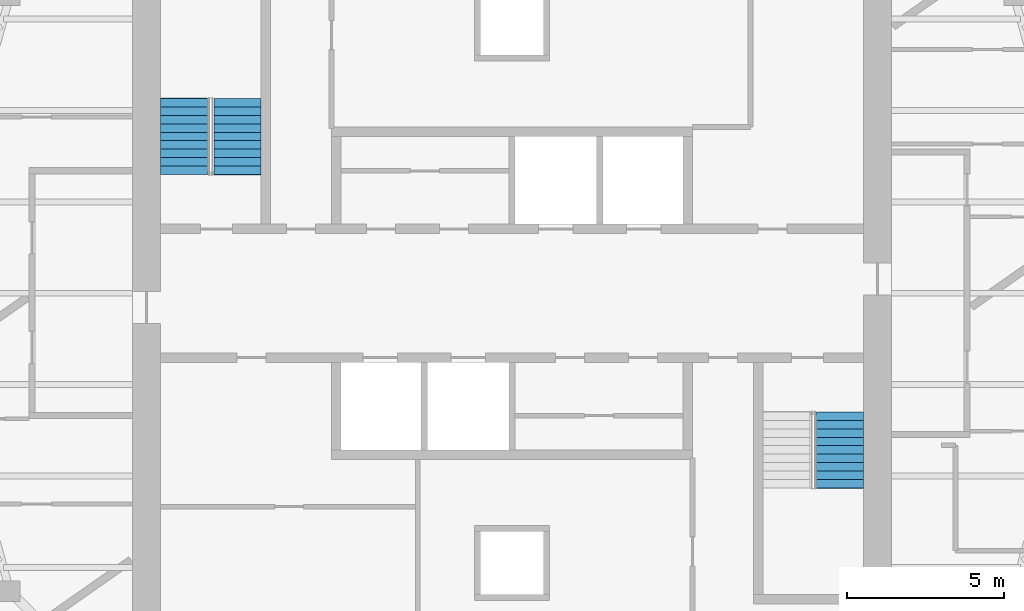
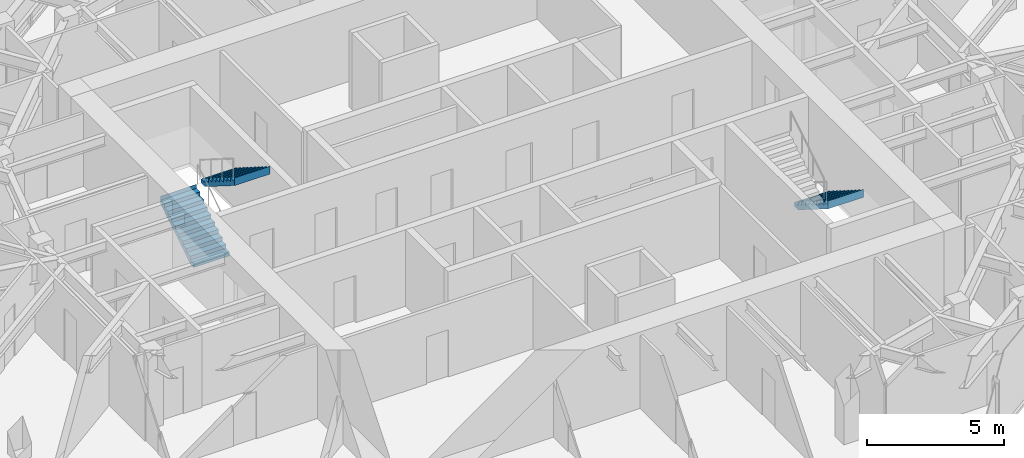
# One storey, part 12 of 13: 3 stair flights, 2 elements without a shape of their own.
"""IFC4 building model written with IfcOpenShell, lengths in metres."""

import ifcopenshell
import ifcopenshell.guid

model = None  # the IFC model being written
_history = None  # IfcOwnerHistory: only IFC2X3 demands one
_inside = {}  # id of a spatial element -> (the spatial element, [elements in it])
_under = {}  # id of a project, library or spatial element -> (it, [spatial elements below it])
_declared = {}  # id of a project -> (the project, [libraries it declares])
_typed = {}  # id of a type object -> (the type object, [elements of that type])
_made_of = {}  # id of a material, layer set ... -> (it, [elements and type objects made of it])


def new_model(schema):
    """Start an empty IFC model of exactly this schema.

    Asked for "IFC4X3", IfcOpenShell would pick the latest addendum, in which some entities
    have other attributes; the version numbers below select the first issue.
    IFC2X3 requires an IfcOwnerHistory on every rooted entity: one is made here for all.
    """
    global model, _history
    if schema == "IFC4X3":
        model = ifcopenshell.file(schema_version=(4, 3, 0, 0))
    else:
        model = ifcopenshell.file(schema=schema)
    _inside.clear()
    _under.clear()
    _declared.clear()
    _typed.clear()
    _made_of.clear()
    _history = None
    if model.schema == "IFC2X3":
        org = make("IfcOrganization", Name="unknown")
        user = make(
            "IfcPersonAndOrganization",
            ThePerson=make("IfcPerson", FamilyName="unknown"),
            TheOrganization=org,
        )
        app = make(
            "IfcApplication",
            ApplicationDeveloper=org,
            Version="unknown",
            ApplicationFullName="unknown",
            ApplicationIdentifier="unknown",
        )
        _history = make(
            "IfcOwnerHistory",
            OwningUser=user,
            OwningApplication=app,
            ChangeAction="ADDED",
            CreationDate=0,
        )
    return model


def make(cls, **values):
    """One entity of the class cls with the attributes given. An attribute that is None is left unset."""
    return model.create_entity(
        cls, **{name: value for name, value in values.items() if value is not None}
    )


def rooted(cls, **values):
    """An entity with a GlobalId (a new one), such as an element, a storey or a relation."""
    return make(cls, GlobalId=ifcopenshell.guid.new(), OwnerHistory=_history, **values)


def si_unit(unit_type, name, prefix=None):
    """IfcSIUnit, for example si_unit("LENGTHUNIT", "METRE", prefix="MILLI")."""
    return make("IfcSIUnit", UnitType=unit_type, Prefix=prefix, Name=name)


def assignment(units):
    """IfcUnitAssignment: the units of a project."""
    return None if units is None else make("IfcUnitAssignment", Units=units)


def point(xyz):
    """IfcCartesianPoint."""
    return None if xyz is None else make("IfcCartesianPoint", Coordinates=xyz)


def direction(xyz):
    """IfcDirection."""
    return None if xyz is None else make("IfcDirection", DirectionRatios=xyz)


def frame(location, z_axis=None, x_axis=None):
    """IfcAxis2Placement3D, a coordinate frame: its origin and axes. An axis left out is left unset."""
    return make(
        "IfcAxis2Placement3D",
        Location=point(location),
        Axis=direction(z_axis),
        RefDirection=direction(x_axis),
    )


def origin():
    """The frame at (0, 0, 0) with its axes left unset."""
    return frame((0.0, 0.0, 0.0))


def place(relative_to, where):
    """IfcLocalPlacement: puts the frame where relative to a parent placement (None: the world)."""
    return make(
        "IfcLocalPlacement", PlacementRelTo=relative_to, RelativePlacement=where
    )


def context(
    kind, dimensions, precision=None, world=None, true_north=None, identifier=None
):
    """IfcGeometricRepresentationContext, for example the 3D "Model" context."""
    return make(
        "IfcGeometricRepresentationContext",
        ContextIdentifier=identifier,
        ContextType=kind,
        CoordinateSpaceDimension=dimensions,
        Precision=precision,
        WorldCoordinateSystem=world,
        TrueNorth=true_north,
    )


def subcontext(parent, identifier, kind, view, scale=None):
    """IfcGeometricRepresentationSubContext, for example "Body" below "Model"."""
    return make(
        "IfcGeometricRepresentationSubContext",
        ContextIdentifier=identifier,
        ContextType=kind,
        ParentContext=parent,
        TargetScale=scale,
        TargetView=view,
    )


def project(units=None, contexts=None):
    """IfcProject with its units and contexts."""
    return rooted(
        "IfcProject",
        Name="project",
        RepresentationContexts=contexts,
        UnitsInContext=assignment(units),
    )


def spatial(cls, under=None, at=None, **own):
    """A site, building, storey or space (cls), placed at a placement, below another one or the project."""
    s = rooted(cls, ObjectPlacement=at, **own)
    if under is not None:
        _under.setdefault(under.id(), (under, []))[1].append(s)
    return s


def polyline(points):
    """IfcPolyline through the points."""
    return make("IfcPolyline", Points=[point(p) for p in points])


def outline(outer, holes=None, kind="AREA"):
    """IfcArbitraryClosedProfileDef: a profile drawn as a closed curve; with holes, ...WithVoids."""
    if holes is None:
        return make("IfcArbitraryClosedProfileDef", ProfileType=kind, OuterCurve=outer)
    return make(
        "IfcArbitraryProfileDefWithVoids",
        ProfileType=kind,
        OuterCurve=outer,
        InnerCurves=holes,
    )


def extrude(swept, where, along, depth):
    """IfcExtrudedAreaSolid: the profile swept, set in the frame where, extruded along a direction by depth."""
    return make(
        "IfcExtrudedAreaSolid",
        SweptArea=swept,
        Position=where,
        ExtrudedDirection=direction(along),
        Depth=depth,
    )


def shape(context_of_items, identifier, shape_type, items):
    """IfcShapeRepresentation: the items that make up one representation, for example the "Body"."""
    return make(
        "IfcShapeRepresentation",
        ContextOfItems=context_of_items,
        RepresentationIdentifier=identifier,
        RepresentationType=shape_type,
        Items=items,
    )


def material(Name=None, Category=None):
    """IfcMaterial."""
    return make("IfcMaterial", Name=Name, Category=Category)


def made_of(thing, what):
    """Note that an element or type object is made of a material, layer set ...; save() writes the relation."""
    if what is not None:
        _made_of.setdefault(what.id(), (what, []))[1].append(thing)
    return thing


def type_object(cls, material=None, **own):
    """A type object (cls), such as IfcWallType, which elements share."""
    return made_of(rooted(cls, **own), material)


def element(
    cls,
    number,
    at=None,
    inside=None,
    cuts=None,
    type_object=None,
    material=None,
    context=None,
    identifier="Body",
    shape_type=None,
    held_by="IfcProductDefinitionShape",
    body=None,
    shapes=None,
    **own,
):
    """One element of the class cls, such as IfcWall. Its Tag is "e" and its number.

    at: its placement. inside: the storey or other place that contains it. cuts: it is an
    opening in that element (IfcRelVoidsElement). A single representation is given by context,
    identifier, shape_type and body (its items); several are given by shapes. held_by: the class
    of the entity that holds the representations. save() writes the other relations.
    """
    e = rooted(cls, Tag="e%d" % number, ObjectPlacement=at, **own)
    if body is not None:
        shapes = [shape(context, identifier, shape_type, body)]
    if shapes is not None:
        e.Representation = make(held_by, Representations=shapes)
    if inside is not None:
        _inside.setdefault(inside.id(), (inside, []))[1].append(e)
    if cuts is not None:
        rooted(
            "IfcRelVoidsElement", RelatingBuildingElement=cuts, RelatedOpeningElement=e
        )
    if type_object is not None:
        _typed.setdefault(type_object.id(), (type_object, []))[1].append(e)
    return made_of(e, material)


def aggregate(whole, parts):
    """IfcRelAggregates: a whole, such as a stair, and the parts it consists of."""
    return rooted("IfcRelAggregates", RelatingObject=whole, RelatedObjects=parts)


def save(model, path):
    """Write the relations noted so far, then the file.

    IfcRelAggregates (storeys below a building ...), IfcRelContainedInSpatialStructure (elements
    in a storey), IfcRelDefinesByType, IfcRelAssociatesMaterial and IfcRelDeclares: one each for
    every whole, place, type object, material and project.
    """
    for whole, parts in _under.values():
        aggregate(whole, parts)
    for where, things in _inside.values():
        rooted(
            "IfcRelContainedInSpatialStructure",
            RelatedElements=things,
            RelatingStructure=where,
        )
    for kind, things in _typed.values():
        rooted("IfcRelDefinesByType", RelatedObjects=things, RelatingType=kind)
    for what, things in _made_of.values():
        rooted("IfcRelAssociatesMaterial", RelatedObjects=things, RelatingMaterial=what)
    for by, libraries in _declared.values():
        rooted("IfcRelDeclares", RelatingContext=by, RelatedDefinitions=libraries)
    model.write(path)


model = new_model("IFC4")

# Units and contexts
model_context = context("Model", 3, precision=1e-05, world=origin(), true_north=direction((0.0, 1.0)))
body_context = subcontext(model_context, "Body", "Model", "MODEL_VIEW")
ifc_project = project(units=[si_unit("LENGTHUNIT", "METRE"), si_unit("AREAUNIT", "SQUARE_METRE"), si_unit("VOLUMEUNIT", "CUBIC_METRE"), si_unit("PLANEANGLEUNIT", "RADIAN"), si_unit("MASSUNIT", "GRAM", prefix="KILO")], contexts=[model_context])

# Site, building, storey
site_placement = place(None, origin())
site = spatial("IfcSite", under=ifc_project, at=site_placement, CompositionType="ELEMENT")
building_placement = place(site_placement, origin())
building = spatial("IfcBuilding", under=site, at=building_placement, Name="Torsade Residences", CompositionType="ELEMENT")
storey_placement = place(building_placement, frame((0.0, 0.0, 260.800048828125)))
storey = spatial("IfcBuildingStorey", under=building, at=storey_placement, Name="L72", CompositionType="ELEMENT", Elevation=260.800048828125)

# Stair, stair flights
ifc_material_1 = material(Name="Precast concrete 40 MPa", Category="concrete")
stair_type = type_object("IfcStairType", Name="HALF-TURN FIRE STAIR 1500x3400", PredefinedType="HALF_TURN_STAIR", material=ifc_material_1)
stair_1_placement = place(storey_placement, origin())
stair_1 = element("IfcStair", 1, at=stair_1_placement, inside=storey, type_object=stair_type, Name="Stair ST1 L72", PredefinedType="HALF_TURN_STAIR")
ifc_material_2 = material(Name="Precast concrete 40 MPa", Category="concrete")
stair_flight_type = type_object("IfcStairFlightType", Name="PRECAST STAIR FLIGHT 1500x1700", PredefinedType="STRAIGHT", material=ifc_material_2)
stair_flight_1_placement = place(storey_placement, frame((29.550048828125, 33.780029296875, 0.0), z_axis=(0.0, 0.0, 1.0), x_axis=(0.0, 1.0, 0.0)))
stair_flight_1 = element("IfcStairFlight", 2, at=stair_flight_1_placement, type_object=stair_flight_type, Name="ST1 flight 1", NumberOfRisers=10, NumberOfTreads=9, PredefinedType="STRAIGHT", RiserHeight=0.17, TreadLength=0.27, context=body_context, shape_type="SweptSolid", body=[
    extrude(outline(polyline([(0.0, 0.0), (0.0, 0.169921875), (0.27001953125, 0.169921875), (0.27001953125, 0.340087890625), (0.5400390625, 0.340087890625), (0.5400390625, 0.510009765625), (0.81005859375, 0.510009765625), (0.81005859375, 0.679931640625), (1.080078125, 0.679931640625), (1.080078125, 0.85009765625), (1.35009765625, 0.85009765625), (1.35009765625, 1.02001953125), (1.6201171875, 1.02001953125), (1.6201171875, 1.18994140625), (1.889892578125, 1.18994140625), (1.889892578125, 1.360107421875), (2.159912109375, 1.360107421875), (2.159912109375, 1.530029296875), (2.429931640625, 1.530029296875), (2.429931640625, 1.699951171875), (2.43994140625, 1.699951171875), (2.43994140625, 1.352783203125), (2.429931640625, 1.352783203125), (0.28125, 0.0), (0.0, 0.0)])), frame((0.0, 0.75, 0.0), z_axis=(0.0, -1.0, 0.0), x_axis=(1.0, 0.0, 0.0)), (0.0, 0.0, 1.0), 1.5),
])
stair_flight_2_placement = place(storey_placement, frame((31.25, 36.2099609375, 1.699951171875), z_axis=(0.0, 0.0, 1.0), x_axis=(0.0, -1.0, 0.0)))
stair_flight_2 = element("IfcStairFlight", 3, at=stair_flight_2_placement, type_object=stair_flight_type, Name="ST1 flight 2", NumberOfRisers=10, NumberOfTreads=9, PredefinedType="STRAIGHT", RiserHeight=0.17, TreadLength=0.27, context=body_context, shape_type="SweptSolid", body=[
    extrude(outline(polyline([(0.0, 0.0), (0.0, 0.169921875), (0.27001953125, 0.169921875), (0.27001953125, 0.340087890625), (0.5400390625, 0.340087890625), (0.5400390625, 0.510009765625), (0.81005859375, 0.510009765625), (0.81005859375, 0.679931640625), (1.080078125, 0.679931640625), (1.080078125, 0.85009765625), (1.35009765625, 0.85009765625), (1.35009765625, 1.02001953125), (1.6201171875, 1.02001953125), (1.6201171875, 1.18994140625), (1.889892578125, 1.18994140625), (1.889892578125, 1.360107421875), (2.159912109375, 1.360107421875), (2.159912109375, 1.530029296875), (2.429931640625, 1.530029296875), (2.429931640625, 1.699951171875), (2.43994140625, 1.699951171875), (2.43994140625, 1.352783203125), (2.429931640625, 1.352783203125), (0.28125, 0.0), (0.0, 0.0)])), frame((0.0, 0.75, 0.0), z_axis=(0.0, -1.0, 0.0), x_axis=(1.0, 0.0, 0.0)), (0.0, 0.0, 1.0), 1.5),
])
aggregate(stair_1, [stair_flight_1, stair_flight_2])

# Stair, stair flight
stair_2_placement = place(storey_placement, origin())
stair_2 = element("IfcStair", 4, at=stair_2_placement, inside=storey, type_object=stair_type, Name="Stair ST2 L72", PredefinedType="HALF_TURN_STAIR")
stair_flight_3_placement = place(storey_placement, frame((50.449951171875, 26.219970703125, 0.0), z_axis=(0.0, 0.0, 1.0), x_axis=(0.0, -1.0, 0.0)))
stair_flight_3 = element("IfcStairFlight", 5, at=stair_flight_3_placement, type_object=stair_flight_type, Name="ST2 flight 1", NumberOfRisers=10, NumberOfTreads=9, PredefinedType="STRAIGHT", RiserHeight=0.17, TreadLength=0.27, context=body_context, shape_type="SweptSolid", body=[
    extrude(outline(polyline([(0.0, 0.0), (0.0, 0.169921875), (0.27001953125, 0.169921875), (0.27001953125, 0.340087890625), (0.5400390625, 0.340087890625), (0.5400390625, 0.510009765625), (0.81005859375, 0.510009765625), (0.81005859375, 0.679931640625), (1.080078125, 0.679931640625), (1.080078125, 0.85009765625), (1.35009765625, 0.85009765625), (1.35009765625, 1.02001953125), (1.6201171875, 1.02001953125), (1.6201171875, 1.18994140625), (1.889892578125, 1.18994140625), (1.889892578125, 1.360107421875), (2.159912109375, 1.360107421875), (2.159912109375, 1.530029296875), (2.429931640625, 1.530029296875), (2.429931640625, 1.699951171875), (2.43994140625, 1.699951171875), (2.43994140625, 1.352783203125), (2.429931640625, 1.352783203125), (0.28125, 0.0), (0.0, 0.0)])), frame((0.0, 0.75, 0.0), z_axis=(0.0, -1.0, 0.0), x_axis=(1.0, 0.0, 0.0)), (0.0, 0.0, 1.0), 1.5),
])
aggregate(stair_2, [stair_flight_3])

save(model, "model.ifc")
